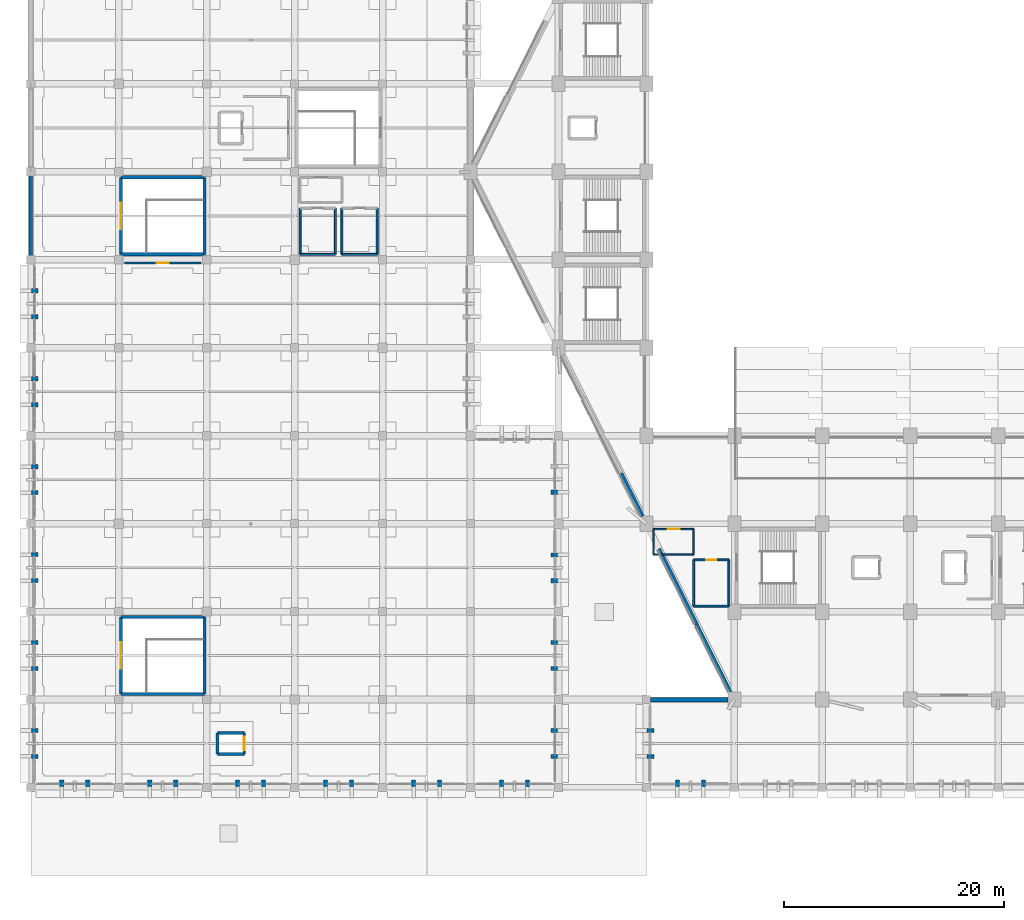
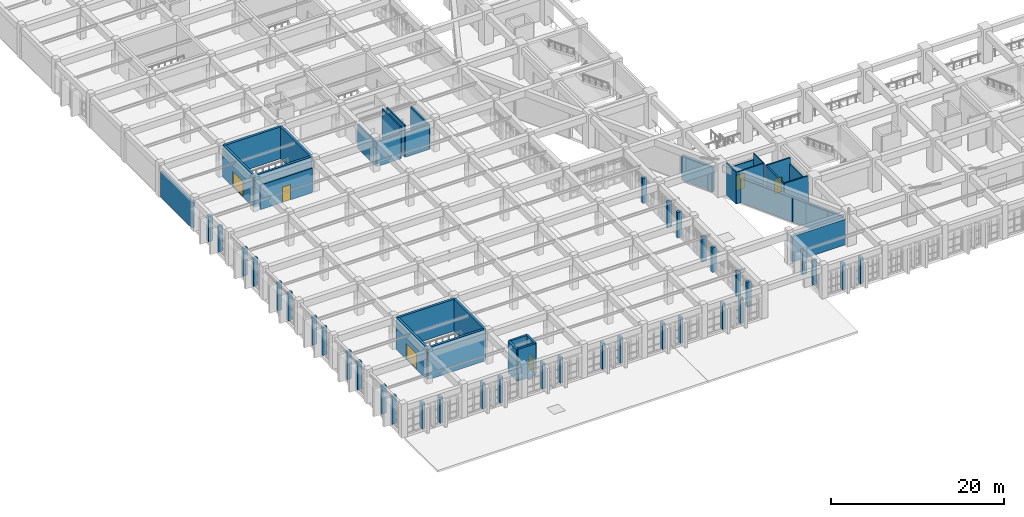
# One storey, part 133 of 155: 67 walls, 6 doors, 6 openings.
"""IFC4 building model written with IfcOpenShell, lengths in metres."""

from ifc_helpers import new_model, si_unit, direction, frame, frame_2d, origin, place, context, subcontext, project, spatial, rectangle, extrude, material, layer, layer_set, type_object, element, fill, save


model = new_model("IFC4")

# Units and contexts
model_context = context("Model", 3, precision=1e-05, world=origin(), true_north=direction((0.0, 1.0)))
body_context = subcontext(model_context, "Body", "Model", "MODEL_VIEW")
ifc_project = project(units=[si_unit("LENGTHUNIT", "METRE"), si_unit("AREAUNIT", "SQUARE_METRE"), si_unit("VOLUMEUNIT", "CUBIC_METRE"), si_unit("PLANEANGLEUNIT", "RADIAN"), si_unit("MASSUNIT", "GRAM", prefix="KILO")], contexts=[model_context])

# Site, building, storey
site_placement = place(None, origin())
site = spatial("IfcSite", under=ifc_project, at=site_placement, CompositionType="ELEMENT")
building_placement = place(site_placement, origin())
building = spatial("IfcBuilding", under=site, at=building_placement, Name="Tazarka Park Arena", CompositionType="ELEMENT")
storey_placement = place(building_placement, frame((0.0, 0.0, 5.39990234375)))
storey = spatial("IfcBuildingStorey", under=building, at=storey_placement, Name="L01", CompositionType="ELEMENT", Elevation=5.39990234375)

# Wall
ifc_material_1 = material(Name="Concrete C40/50", Category="concrete")
ifc_layer_1 = layer(ifc_material_1, 0.300048828125, Name="Concrete C40/50")
ifc_layer_set_1 = layer_set([ifc_layer_1], Name="Concrete C40/50")
wall_type_1 = type_object("IfcWallType", Name="IWAL-CW-S1", PredefinedType="SHEAR", material=ifc_layer_set_1)
wall_1_placement = place(storey_placement, frame((15.800048828125, 56.5, 0.0), z_axis=(0.0, 0.0, 1.0), x_axis=(-1.0, 0.0, 0.0)))
element("IfcWall", 1, at=wall_1_placement, inside=storey, type_object=wall_type_1, Name="SCW-L01-ST01-S", PredefinedType="SHEAR", context=body_context, shape_type="SweptSolid", body=[
    extrude(rectangle(XDim=7.60009765625, YDim=0.300048828125, at=frame_2d((3.800048828125, 0.0))), origin(), (0.0, 0.0, 1.0), 4.47998046875),
])

# Wall, opening, door
wall_2_placement = place(storey_placement, frame((8.199951171875, 56.5, 0.0), z_axis=(0.0, 0.0, 1.0), x_axis=(0.0, 1.0, 0.0)))
wall_2 = element("IfcWall", 2, at=wall_2_placement, inside=storey, type_object=wall_type_1, Name="SCW-L01-ST01-W", PredefinedType="SHEAR", context=body_context, shape_type="SweptSolid", body=[
    extrude(rectangle(XDim=7.0, YDim=0.300048828125, at=frame_2d((3.5, 0.0))), origin(), (0.0, 0.0, 1.0), 4.47998046875),
])
opening_1_placement = place(wall_2_placement, frame((2.300048828125, 0.0, 0.0)))
opening_1 = element("IfcOpeningElement", 3, at=opening_1_placement, cuts=wall_2, Name="Opening ID-05", PredefinedType="OPENING", context=body_context, shape_type="SweptSolid", body=[
    extrude(rectangle(XDim=2.39990234375, YDim=2.199951171875, at=frame_2d((1.199951171875, 1.10009765625))), frame((0.0, 0.16015625, 0.0), z_axis=(0.0, -1.0, 0.0), x_axis=(1.0, 0.0, 0.0)), (0.0, 0.0, 1.0), 0.320068359375),
])
ifc_material_2 = material(Name="Fire-rated powder-coated steel and acoustic timber", Category="steel")
door_type_1 = type_object("IfcDoorType", Name="IDR-ID-05", OperationType="NOTDEFINED", PredefinedType="DOOR", material=ifc_material_2)
door_1_placement = place(opening_1_placement, frame((2.39990234375, 0.0, 0.0), z_axis=(0.0, 0.0, 1.0), x_axis=(-1.0, 0.0, 0.0)))
door_1 = element("IfcDoor", 4, at=door_1_placement, inside=storey, type_object=door_type_1, Name="Exit Stair Door ST01-L01", OperationType="DOUBLE_DOOR_SINGLE_SWING", OverallHeight=2.199951171875, OverallWidth=2.39990234375, PredefinedType="DOOR", context=body_context, shape_type="SweptSolid", body=[
    extrude(rectangle(XDim=2.39990234375, YDim=2.199951171875, at=frame_2d((1.199951171875, 1.10009765625))), frame((0.0, 0.02490234375, 0.0), z_axis=(0.0, -1.0, 0.0), x_axis=(1.0, 0.0, 0.0)), (0.0, 0.0, 1.0), 0.050048828125),
])
fill(opening_1, door_1)

# Walls
wall_3_placement = place(storey_placement, frame((8.199951171875, 63.5, 0.0), z_axis=(0.0, 0.0, 1.0), x_axis=(1.0, 0.0, 0.0)))
element("IfcWall", 5, at=wall_3_placement, inside=storey, type_object=wall_type_1, Name="SCW-L01-ST01-N", PredefinedType="SHEAR", context=body_context, shape_type="SweptSolid", body=[
    extrude(rectangle(XDim=7.60009765625, YDim=0.300048828125, at=frame_2d((3.800048828125, 0.0))), origin(), (0.0, 0.0, 1.0), 4.47998046875),
])
wall_4_placement = place(storey_placement, frame((15.800048828125, 63.5, 0.0), z_axis=(0.0, 0.0, 1.0), x_axis=(0.0, -1.0, 0.0)))
element("IfcWall", 6, at=wall_4_placement, inside=storey, type_object=wall_type_1, Name="SCW-L01-ST01-E", PredefinedType="SHEAR", context=body_context, shape_type="SweptSolid", body=[
    extrude(rectangle(XDim=7.0, YDim=0.300048828125, at=frame_2d((3.5, 0.0))), origin(), (0.0, 0.0, 1.0), 4.47998046875),
])
wall_5_placement = place(storey_placement, frame((15.800048828125, 16.5, 0.0), z_axis=(0.0, 0.0, 1.0), x_axis=(-1.0, 0.0, 0.0)))
element("IfcWall", 7, at=wall_5_placement, inside=storey, type_object=wall_type_1, Name="SCW-L01-ST17-S", PredefinedType="SHEAR", context=body_context, shape_type="SweptSolid", body=[
    extrude(rectangle(XDim=7.60009765625, YDim=0.300048828125, at=frame_2d((3.800048828125, 0.0))), origin(), (0.0, 0.0, 1.0), 4.47998046875),
])

# Wall, opening, door
wall_6_placement = place(storey_placement, frame((8.199951171875, 16.5, 0.0), z_axis=(0.0, 0.0, 1.0), x_axis=(0.0, 1.0, 0.0)))
wall_6 = element("IfcWall", 8, at=wall_6_placement, inside=storey, type_object=wall_type_1, Name="SCW-L01-ST17-W", PredefinedType="SHEAR", context=body_context, shape_type="SweptSolid", body=[
    extrude(rectangle(XDim=7.0, YDim=0.300048828125, at=frame_2d((3.5, 0.0))), origin(), (0.0, 0.0, 1.0), 4.47998046875),
])
opening_2_placement = place(wall_6_placement, frame((2.300048828125, 0.0, 0.0)))
opening_2 = element("IfcOpeningElement", 9, at=opening_2_placement, cuts=wall_6, Name="Opening ID-05", PredefinedType="OPENING", context=body_context, shape_type="SweptSolid", body=[
    extrude(rectangle(XDim=2.39990234375, YDim=2.199951171875, at=frame_2d((1.199951171875, 1.10009765625))), frame((0.0, 0.16015625, 0.0), z_axis=(0.0, -1.0, 0.0), x_axis=(1.0, 0.0, 0.0)), (0.0, 0.0, 1.0), 0.320068359375),
])
door_2_placement = place(opening_2_placement, frame((2.39990234375, 0.0, 0.0), z_axis=(0.0, 0.0, 1.0), x_axis=(-1.0, 0.0, 0.0)))
door_2 = element("IfcDoor", 10, at=door_2_placement, inside=storey, type_object=door_type_1, Name="Exit Stair Door ST17-L01", OperationType="DOUBLE_DOOR_SINGLE_SWING", OverallHeight=2.199951171875, OverallWidth=2.39990234375, PredefinedType="DOOR", context=body_context, shape_type="SweptSolid", body=[
    extrude(rectangle(XDim=2.39990234375, YDim=2.199951171875, at=frame_2d((1.199951171875, 1.10009765625))), frame((0.0, 0.02490234375, 0.0), z_axis=(0.0, -1.0, 0.0), x_axis=(1.0, 0.0, 0.0)), (0.0, 0.0, 1.0), 0.050048828125),
])
fill(opening_2, door_2)

# Walls
wall_7_placement = place(storey_placement, frame((8.199951171875, 23.5, 0.0), z_axis=(0.0, 0.0, 1.0), x_axis=(1.0, 0.0, 0.0)))
element("IfcWall", 11, at=wall_7_placement, inside=storey, type_object=wall_type_1, Name="SCW-L01-ST17-N", PredefinedType="SHEAR", context=body_context, shape_type="SweptSolid", body=[
    extrude(rectangle(XDim=7.60009765625, YDim=0.300048828125, at=frame_2d((3.800048828125, 0.0))), origin(), (0.0, 0.0, 1.0), 4.47998046875),
])
wall_8_placement = place(storey_placement, frame((15.800048828125, 23.5, 0.0), z_axis=(0.0, 0.0, 1.0), x_axis=(0.0, -1.0, 0.0)))
element("IfcWall", 12, at=wall_8_placement, inside=storey, type_object=wall_type_1, Name="SCW-L01-ST17-E", PredefinedType="SHEAR", context=body_context, shape_type="SweptSolid", body=[
    extrude(rectangle(XDim=7.0, YDim=0.300048828125, at=frame_2d((3.5, 0.0))), origin(), (0.0, 0.0, 1.0), 4.47998046875),
])
ifc_material_3 = material(Name="Concrete C40/50", Category="concrete")
ifc_layer_2 = layer(ifc_material_3, 0.260009765625, Name="Concrete C40/50")
ifc_layer_set_2 = layer_set([ifc_layer_2], Name="Concrete C40/50")
wall_type_2 = type_object("IfcWallType", Name="IWAL-CW-S3", PredefinedType="SHEAR", material=ifc_layer_set_2)
wall_9_placement = place(storey_placement, frame((16.97998046875, 11.030029296875, 0.0), z_axis=(0.0, 0.0, 1.0), x_axis=(0.0, 1.0, 0.0)))
element("IfcWall", 13, at=wall_9_placement, inside=storey, type_object=wall_type_2, Name="LSW-L01-LF-05-W", PredefinedType="SHEAR", context=body_context, shape_type="SweptSolid", body=[
    extrude(rectangle(XDim=1.93994140625, YDim=0.260009765625, at=frame_2d((0.969970703125, 0.0))), origin(), (0.0, 0.0, 1.0), 4.47998046875),
])
for number, where, z_axis, x_axis, name in (
    (14, (16.97998046875, 12.969970703125, 0.0), (0.0, 0.0, 1.0), (1.0, 0.0, 0.0), "LSW-L01-LF-05-N"),
    (15, (19.419921875, 11.030029296875, 0.0), (0.0, 0.0, 1.0), (-1.0, 0.0, 0.0), "LSW-L01-LF-05-S"),
):
    element("IfcWall", number, at=place(storey_placement, frame(where, z_axis=z_axis, x_axis=x_axis)), inside=storey, type_object=wall_type_2, Name=name, PredefinedType="SHEAR", context=body_context, shape_type="SweptSolid", body=[
        extrude(rectangle(XDim=2.43994140625, YDim=0.260009765625, at=frame_2d((1.219970703125, 0.0))), origin(), (0.0, 0.0, 1.0), 4.47998046875),
    ])

# Wall, opening, door
wall_10_placement = place(storey_placement, frame((19.419921875, 12.969970703125, 0.0), z_axis=(0.0, 0.0, 1.0), x_axis=(0.0, -1.0, 0.0)))
wall_10 = element("IfcWall", 16, at=wall_10_placement, inside=storey, type_object=wall_type_2, Name="LSW-L01-LF-05-E", PredefinedType="SHEAR", context=body_context, shape_type="SweptSolid", body=[
    extrude(rectangle(XDim=1.93994140625, YDim=0.260009765625, at=frame_2d((0.969970703125, 0.0))), origin(), (0.0, 0.0, 1.0), 4.47998046875),
])
opening_3_placement = place(wall_10_placement, frame((0.3701171875, 0.0, 0.0)))
opening_3 = element("IfcOpeningElement", 17, at=opening_3_placement, cuts=wall_10, Name="Opening LD-02", PredefinedType="OPENING", context=body_context, shape_type="SweptSolid", body=[
    extrude(rectangle(XDim=1.199951171875, YDim=2.14990234375, at=frame_2d((0.60009765625, 1.074951171875))), frame((0.0, 0.14013671875, 0.0), z_axis=(0.0, -1.0, 0.0), x_axis=(1.0, 0.0, 0.0)), (0.0, 0.0, 1.0), 0.280029296875),
])
ifc_material_4 = material(Name="Fire-rated powder-coated steel and acoustic timber", Category="steel")
door_type_2 = type_object("IfcDoorType", Name="IDR-LD-02", OperationType="NOTDEFINED", PredefinedType="DOOR", material=ifc_material_4)
door_3_placement = place(opening_3_placement, origin())
door_3 = element("IfcDoor", 18, at=door_3_placement, inside=storey, type_object=door_type_2, Name="Lift Landing Door LF-05-L01", OperationType="SLIDING_TO_LEFT", OverallHeight=2.14990234375, OverallWidth=1.199951171875, PredefinedType="DOOR", context=body_context, shape_type="SweptSolid", body=[
    extrude(rectangle(XDim=1.199951171875, YDim=2.14990234375, at=frame_2d((0.60009765625, 1.074951171875))), frame((0.0, 0.02490234375, 0.0), z_axis=(0.0, -1.0, 0.0), x_axis=(1.0, 0.0, 0.0)), (0.0, 0.0, 1.0), 0.050048828125),
])
fill(opening_3, door_3)

# Walls
ifc_material_5 = material(Name="Acoustic gypsum stud partition")
ifc_layer_3 = layer(ifc_material_5, 0.135009765625, Name="Acoustic gypsum stud partition")
ifc_layer_set_3 = layer_set([ifc_layer_3], Name="Acoustic gypsum stud partition")
wall_type_3 = type_object("IfcWallType", Name="IWAL-PT-10", PredefinedType="PARTITIONING", material=ifc_layer_set_3)
wall_11_placement = place(storey_placement, frame((56.641357421875, 29.199951171875, 0.0), z_axis=(0.0, 0.0, 1.0), x_axis=(1.0, 0.0, 0.0)))
element("IfcWall", 19, at=wall_11_placement, inside=storey, type_object=wall_type_3, Name="WCE-L01-076", PredefinedType="PARTITIONING", context=body_context, shape_type="SweptSolid", body=[
    extrude(rectangle(XDim=3.65869140625, YDim=0.135009765625, at=frame_2d((1.829345703125, 0.0))), origin(), (0.0, 0.0, 1.0), 4.47998046875),
])
wall_12_placement = place(storey_placement, frame((60.300048828125, 29.199951171875, 0.0), z_axis=(0.0, 0.0, 1.0), x_axis=(0.0, 1.0, 0.0)))
element("IfcWall", 20, at=wall_12_placement, inside=storey, type_object=wall_type_3, Name="WCE-L01-077", PredefinedType="PARTITIONING", context=body_context, shape_type="SweptSolid", body=[
    extrude(rectangle(XDim=2.300048828125, YDim=0.135009765625, at=frame_2d((1.14990234375, 0.0))), origin(), (0.0, 0.0, 1.0), 4.47998046875),
])

# Wall, opening, door
wall_13_placement = place(storey_placement, frame((60.300048828125, 31.5, 0.0), z_axis=(0.0, 0.0, 1.0), x_axis=(-1.0, 0.0, 0.0)))
wall_13 = element("IfcWall", 21, at=wall_13_placement, inside=storey, type_object=wall_type_3, Name="WCE-L01-078", PredefinedType="PARTITIONING", context=body_context, shape_type="SweptSolid", body=[
    extrude(rectangle(XDim=3.65869140625, YDim=0.135009765625, at=frame_2d((1.829345703125, 0.0))), origin(), (0.0, 0.0, 1.0), 3.60009765625),
])
opening_4_placement = place(wall_13_placement, frame((1.279296875, 0.0, 0.0)))
opening_4 = element("IfcOpeningElement", 22, at=opening_4_placement, cuts=wall_13, Name="Opening ID-02", PredefinedType="OPENING", context=body_context, shape_type="SweptSolid", body=[
    extrude(rectangle(XDim=1.10009765625, YDim=2.14990234375, at=frame_2d((0.550048828125, 1.074951171875))), frame((0.0, 0.07763671875, 0.0), z_axis=(0.0, -1.0, 0.0), x_axis=(1.0, 0.0, 0.0)), (0.0, 0.0, 1.0), 0.155029296875),
])
ifc_material_6 = material(Name="Fire-rated powder-coated steel and acoustic timber", Category="steel")
door_type_3 = type_object("IfcDoorType", Name="IDR-ID-02", OperationType="NOTDEFINED", PredefinedType="DOOR", material=ifc_material_6)
door_4_placement = place(opening_4_placement, origin())
door_4 = element("IfcDoor", 23, at=door_4_placement, inside=storey, type_object=door_type_3, Name="Room Door Accessible WC South 2", OperationType="SINGLE_SWING_RIGHT", OverallHeight=2.14990234375, OverallWidth=1.10009765625, PredefinedType="DOOR", context=body_context, shape_type="SweptSolid", body=[
    extrude(rectangle(XDim=1.10009765625, YDim=2.14990234375, at=frame_2d((0.550048828125, 1.074951171875))), frame((0.0, 0.02490234375, 0.0), z_axis=(0.0, -1.0, 0.0), x_axis=(1.0, 0.0, 0.0)), (0.0, 0.0, 1.0), 0.050048828125),
])
fill(opening_4, door_4)

# Wall
wall_14_placement = place(storey_placement, frame((56.641357421875, 31.5, 0.0), z_axis=(0.0, 0.0, 1.0), x_axis=(0.0, -1.0, 0.0)))
element("IfcWall", 24, at=wall_14_placement, inside=storey, type_object=wall_type_3, Name="WCE-L01-079", PredefinedType="PARTITIONING", context=body_context, shape_type="SweptSolid", body=[
    extrude(rectangle(XDim=2.300048828125, YDim=0.135009765625, at=frame_2d((1.14990234375, 0.0))), origin(), (0.0, 0.0, 1.0), 4.47998046875),
])

# Wall, opening, door
ifc_material_7 = material(Name="Double-board acoustic partition")
ifc_layer_4 = layer(ifc_material_7, 0.1650390625, Name="Double-board acoustic partition")
ifc_layer_set_4 = layer_set([ifc_layer_4], Name="Double-board acoustic partition")
wall_type_4 = type_object("IfcWallType", Name="IWAL-PT-17", PredefinedType="PARTITIONING", material=ifc_layer_set_4)
wall_15_placement = place(storey_placement, frame((8.542236328125, 55.699951171875, 0.0), z_axis=(0.0, 0.0, 1.0), x_axis=(1.0, 0.0, 0.0)))
wall_15 = element("IfcWall", 25, at=wall_15_placement, inside=storey, type_object=wall_type_4, Name="PRT-L01-015", PredefinedType="PARTITIONING", context=body_context, shape_type="SweptSolid", body=[
    extrude(rectangle(XDim=6.91552734375, YDim=0.1650390625, at=frame_2d((3.457763671875, 0.0))), origin(), (0.0, 0.0, 1.0), 3.4501953125),
])
opening_5_placement = place(wall_15_placement, frame((2.90771484375, 0.0, 0.0)))
opening_5 = element("IfcOpeningElement", 26, at=opening_5_placement, cuts=wall_15, Name="Opening ID-02", PredefinedType="OPENING", context=body_context, shape_type="SweptSolid", body=[
    extrude(rectangle(XDim=1.10009765625, YDim=2.14990234375, at=frame_2d((0.550048828125, 1.074951171875))), frame((0.0, 0.092529296875, 0.0), z_axis=(0.0, -1.0, 0.0), x_axis=(1.0, 0.0, 0.0)), (0.0, 0.0, 1.0), 0.18505859375),
])
door_5_placement = place(opening_5_placement, origin())
door_5 = element("IfcDoor", 27, at=door_5_placement, inside=storey, type_object=door_type_3, Name="Room Door Entrance Foyer Mezzanine Lounge", OperationType="SINGLE_SWING_RIGHT", OverallHeight=2.14990234375, OverallWidth=1.10009765625, PredefinedType="DOOR", context=body_context, shape_type="SweptSolid", body=[
    extrude(rectangle(XDim=1.10009765625, YDim=2.14990234375, at=frame_2d((0.550048828125, 1.074951171875))), frame((0.0, 0.02490234375, 0.0), z_axis=(0.0, -1.0, 0.0), x_axis=(1.0, 0.0, 0.0)), (0.0, 0.0, 1.0), 0.050048828125),
])
fill(opening_5, door_5)

# Walls
ifc_material_8 = material(Name="Wet-zone tiled blockwork wall", Category="masonry")
ifc_layer_5 = layer(ifc_material_8, 0.175048828125, Name="Wet-zone tiled blockwork wall")
ifc_layer_set_5 = layer_set([ifc_layer_5], Name="Wet-zone tiled blockwork wall")
wall_type_5 = type_object("IfcWallType", Name="IWAL-PT-18", PredefinedType="PARTITIONING", material=ifc_layer_set_5)
wall_16_placement = place(storey_placement, frame((24.5, 56.5, 0.0), z_axis=(0.0, 0.0, 1.0), x_axis=(1.0, 0.0, 0.0)))
element("IfcWall", 28, at=wall_16_placement, inside=storey, type_object=wall_type_5, Name="WCE-L01-060", PredefinedType="PARTITIONING", context=body_context, shape_type="SweptSolid", body=[
    extrude(rectangle(XDim=3.199951171875, YDim=0.175048828125, at=frame_2d((1.60009765625, 0.0))), origin(), (0.0, 0.0, 1.0), 3.4501953125),
])
wall_17_placement = place(storey_placement, frame((27.699951171875, 56.5, 0.0), z_axis=(0.0, 0.0, 1.0), x_axis=(0.0, 1.0, 0.0)))
element("IfcWall", 29, at=wall_17_placement, inside=storey, type_object=wall_type_5, Name="WCE-L01-061", PredefinedType="PARTITIONING", context=body_context, shape_type="SweptSolid", body=[
    extrude(rectangle(XDim=4.199951171875, YDim=0.175048828125, at=frame_2d((2.10009765625, 0.0))), origin(), (0.0, 0.0, 1.0), 4.47998046875),
])
wall_18_placement = place(storey_placement, frame((24.5, 60.699951171875, 0.0), z_axis=(0.0, 0.0, 1.0), x_axis=(0.0, -1.0, 0.0)))
element("IfcWall", 30, at=wall_18_placement, inside=storey, type_object=wall_type_5, Name="WCE-L01-063", PredefinedType="PARTITIONING", context=body_context, shape_type="SweptSolid", body=[
    extrude(rectangle(XDim=4.199951171875, YDim=0.175048828125, at=frame_2d((2.10009765625, 0.0))), origin(), (0.0, 0.0, 1.0), 3.4501953125),
])
wall_19_placement = place(storey_placement, frame((28.300048828125, 56.5, 0.0), z_axis=(0.0, 0.0, 1.0), x_axis=(1.0, 0.0, 0.0)))
element("IfcWall", 31, at=wall_19_placement, inside=storey, type_object=wall_type_5, Name="WCE-L01-064", PredefinedType="PARTITIONING", context=body_context, shape_type="SweptSolid", body=[
    extrude(rectangle(XDim=3.199951171875, YDim=0.175048828125, at=frame_2d((1.60009765625, 0.0))), origin(), (0.0, 0.0, 1.0), 3.4501953125),
])
wall_20_placement = place(storey_placement, frame((31.5, 56.5, 0.0), z_axis=(0.0, 0.0, 1.0), x_axis=(0.0, 1.0, 0.0)))
element("IfcWall", 32, at=wall_20_placement, inside=storey, type_object=wall_type_5, Name="WCE-L01-065", PredefinedType="PARTITIONING", context=body_context, shape_type="SweptSolid", body=[
    extrude(rectangle(XDim=4.199951171875, YDim=0.175048828125, at=frame_2d((2.10009765625, 0.0))), origin(), (0.0, 0.0, 1.0), 3.4501953125),
])
wall_21_placement = place(storey_placement, frame((28.300048828125, 60.699951171875, 0.0), z_axis=(0.0, 0.0, 1.0), x_axis=(0.0, -1.0, 0.0)))
element("IfcWall", 33, at=wall_21_placement, inside=storey, type_object=wall_type_5, Name="WCE-L01-067", PredefinedType="PARTITIONING", context=body_context, shape_type="SweptSolid", body=[
    extrude(rectangle(XDim=4.199951171875, YDim=0.175048828125, at=frame_2d((2.10009765625, 0.0))), origin(), (0.0, 0.0, 1.0), 4.47998046875),
])
wall_22_placement = place(storey_placement, frame((60.300048828125, 24.5, 0.0), z_axis=(0.0, 0.0, 1.0), x_axis=(1.0, 0.0, 0.0)))
element("IfcWall", 34, at=wall_22_placement, inside=storey, type_object=wall_type_5, Name="WCE-L01-072", PredefinedType="PARTITIONING", context=body_context, shape_type="SweptSolid", body=[
    extrude(rectangle(XDim=3.199951171875, YDim=0.175048828125, at=frame_2d((1.60009765625, 0.0))), origin(), (0.0, 0.0, 1.0), 4.47998046875),
])
wall_23_placement = place(storey_placement, frame((63.5, 24.5, 0.0), z_axis=(0.0, 0.0, 1.0), x_axis=(0.0, 1.0, 0.0)))
element("IfcWall", 35, at=wall_23_placement, inside=storey, type_object=wall_type_5, Name="WCE-L01-073", PredefinedType="PARTITIONING", context=body_context, shape_type="SweptSolid", body=[
    extrude(rectangle(XDim=4.199951171875, YDim=0.175048828125, at=frame_2d((2.10009765625, 0.0))), origin(), (0.0, 0.0, 1.0), 3.60009765625),
])

# Wall, opening, door
wall_24_placement = place(storey_placement, frame((63.5, 28.699951171875, 0.0), z_axis=(0.0, 0.0, 1.0), x_axis=(-1.0, 0.0, 0.0)))
wall_24 = element("IfcWall", 36, at=wall_24_placement, inside=storey, type_object=wall_type_5, Name="WCE-L01-074", PredefinedType="PARTITIONING", context=body_context, shape_type="SweptSolid", body=[
    extrude(rectangle(XDim=3.199951171875, YDim=0.175048828125, at=frame_2d((1.60009765625, 0.0))), origin(), (0.0, 0.0, 1.0), 4.47998046875),
])
opening_6_placement = place(wall_24_placement, frame((1.125, 0.0, 0.0)))
opening_6 = element("IfcOpeningElement", 37, at=opening_6_placement, cuts=wall_24, Name="Opening ID-09", PredefinedType="OPENING", context=body_context, shape_type="SweptSolid", body=[
    extrude(rectangle(XDim=0.949951171875, YDim=2.14990234375, at=frame_2d((0.47509765625, 1.074951171875))), frame((0.0, 0.09765625, 0.0), z_axis=(0.0, -1.0, 0.0), x_axis=(1.0, 0.0, 0.0)), (0.0, 0.0, 1.0), 0.195068359375),
])
ifc_material_9 = material(Name="Fire-rated powder-coated steel and acoustic timber", Category="steel")
door_type_4 = type_object("IfcDoorType", Name="IDR-ID-09", OperationType="NOTDEFINED", PredefinedType="DOOR", material=ifc_material_9)
door_6_placement = place(opening_6_placement, origin())
door_6 = element("IfcDoor", 38, at=door_6_placement, inside=storey, type_object=door_type_4, Name="Room Door Public Female WC South 2", OperationType="SINGLE_SWING_LEFT", OverallHeight=2.14990234375, OverallWidth=0.949951171875, PredefinedType="DOOR", context=body_context, shape_type="SweptSolid", body=[
    extrude(rectangle(XDim=0.949951171875, YDim=2.14990234375, at=frame_2d((0.47509765625, 1.074951171875))), frame((0.0, 0.02490234375, 0.0), z_axis=(0.0, -1.0, 0.0), x_axis=(1.0, 0.0, 0.0)), (0.0, 0.0, 1.0), 0.050048828125),
])
fill(opening_6, door_6)

# Walls
wall_25_placement = place(storey_placement, frame((60.300048828125, 28.699951171875, 0.0), z_axis=(0.0, 0.0, 1.0), x_axis=(0.0, -1.0, 0.0)))
element("IfcWall", 39, at=wall_25_placement, inside=storey, type_object=wall_type_5, Name="WCE-L01-075", PredefinedType="PARTITIONING", context=body_context, shape_type="SweptSolid", body=[
    extrude(rectangle(XDim=4.199951171875, YDim=0.175048828125, at=frame_2d((2.10009765625, 0.0))), origin(), (0.0, 0.0, 1.0), 4.47998046875),
])
ifc_material_10 = material(Name="Concrete C50/60", Category="concrete")
ifc_layer_6 = layer(ifc_material_10, 0.3798828125, Name="Concrete C50/60")
ifc_layer_set_6 = layer_set([ifc_layer_6], Name="Concrete C50/60")
wall_type_6 = type_object("IfcWallType", Name="WAL-EW-05", PredefinedType="SOLIDWALL", material=ifc_layer_set_6)
for number, where, z_axis, x_axis, name in (
    (40, (56.669921875, 10.818359375, 0.0), (0.0, 0.0, 1.0), (-1.0, 0.0, 0.0), "BFP-L01-001-1"),
    (41, (56.669921875, 13.181640625, 0.0), (0.0, 0.0, 1.0), (-1.0, 0.0, 0.0), "BFP-L01-001-2"),
):
    element("IfcWall", number, at=place(storey_placement, frame(where, z_axis=z_axis, x_axis=x_axis)), inside=storey, type_object=wall_type_6, Name=name, PredefinedType="SOLIDWALL", context=body_context, shape_type="SweptSolid", body=[
        extrude(rectangle(XDim=0.599853515625, YDim=0.3798828125, at=frame_2d((0.2998046875, 0.0))), origin(), (0.0, 0.0, 1.0), 3.4501953125),
    ])
for number, where, z_axis, x_axis, name in (
    (42, (61.181640625, 8.669921875, 0.0), (0.0, 0.0, 1.0), (0.0, -1.0, 0.0), "BFP-L01-004-1"),
    (43, (58.818359375, 8.669921875, 0.0), (0.0, 0.0, 1.0), (0.0, -1.0, 0.0), "BFP-L01-004-2"),
):
    element("IfcWall", number, at=place(storey_placement, frame(where, z_axis=z_axis, x_axis=x_axis)), inside=storey, type_object=wall_type_6, Name=name, PredefinedType="SOLIDWALL", context=body_context, shape_type="SweptSolid", body=[
        extrude(rectangle(XDim=0.599853515625, YDim=0.3798828125, at=frame_2d((0.2998046875, 0.0))), origin(), (0.0, 0.0, 1.0), 3.60009765625),
    ])
for number, where, z_axis, x_axis, name in (
    (44, (0.669921875, 26.818359375, 0.0), (0.0, 0.0, 1.0), (-1.0, 0.0, 0.0), "BFP-L01-061-1"),
    (45, (0.669921875, 29.181640625, 0.0), (0.0, 0.0, 1.0), (-1.0, 0.0, 0.0), "BFP-L01-061-2"),
    (46, (0.669921875, 18.818359375, 0.0), (0.0, 0.0, 1.0), (-1.0, 0.0, 0.0), "BFP-L01-064-1"),
    (47, (0.669921875, 21.181640625, 0.0), (0.0, 0.0, 1.0), (-1.0, 0.0, 0.0), "BFP-L01-064-2"),
    (48, (0.669921875, 10.818359375, 0.0), (0.0, 0.0, 1.0), (-1.0, 0.0, 0.0), "BFP-L01-067-1"),
    (49, (0.669921875, 13.181640625, 0.0), (0.0, 0.0, 1.0), (-1.0, 0.0, 0.0), "BFP-L01-067-2"),
):
    element("IfcWall", number, at=place(storey_placement, frame(where, z_axis=z_axis, x_axis=x_axis)), inside=storey, type_object=wall_type_6, Name=name, PredefinedType="SOLIDWALL", context=body_context, shape_type="SweptSolid", body=[
        extrude(rectangle(XDim=0.599853515625, YDim=0.3798828125, at=frame_2d((0.2998046875, 0.0))), origin(), (0.0, 0.0, 1.0), 3.91015625),
    ])
for number, where, z_axis, x_axis, name in (
    (50, (5.181640625, 8.669921875, 0.0), (0.0, 0.0, 1.0), (0.0, -1.0, 0.0), "BFP-L01-070-1"),
    (51, (2.818359375, 8.669921875, 0.0), (0.0, 0.0, 1.0), (0.0, -1.0, 0.0), "BFP-L01-070-2"),
    (52, (13.181640625, 8.669921875, 0.0), (0.0, 0.0, 1.0), (0.0, -1.0, 0.0), "BFP-L01-073-1"),
    (53, (10.818359375, 8.669921875, 0.0), (0.0, 0.0, 1.0), (0.0, -1.0, 0.0), "BFP-L01-073-2"),
    (54, (21.181640625, 8.669921875, 0.0), (0.0, 0.0, 1.0), (0.0, -1.0, 0.0), "BFP-L01-076-1"),
    (55, (18.818359375, 8.669921875, 0.0), (0.0, 0.0, 1.0), (0.0, -1.0, 0.0), "BFP-L01-076-2"),
    (56, (29.181640625, 8.669921875, 0.0), (0.0, 0.0, 1.0), (0.0, -1.0, 0.0), "BFP-L01-079-1"),
    (57, (26.818359375, 8.669921875, 0.0), (0.0, 0.0, 1.0), (0.0, -1.0, 0.0), "BFP-L01-079-2"),
    (58, (37.181640625, 8.669921875, 0.0), (0.0, 0.0, 1.0), (0.0, -1.0, 0.0), "BFP-L01-082-1"),
    (59, (34.818359375, 8.669921875, 0.0), (0.0, 0.0, 1.0), (0.0, -1.0, 0.0), "BFP-L01-082-2"),
    (60, (45.181640625, 8.669921875, 0.0), (0.0, 0.0, 1.0), (0.0, -1.0, 0.0), "BFP-L01-085-1"),
    (61, (42.818359375, 8.669921875, 0.0), (0.0, 0.0, 1.0), (0.0, -1.0, 0.0), "BFP-L01-085-2"),
):
    element("IfcWall", number, at=place(storey_placement, frame(where, z_axis=z_axis, x_axis=x_axis)), inside=storey, type_object=wall_type_6, Name=name, PredefinedType="SOLIDWALL", context=body_context, shape_type="SweptSolid", body=[
        extrude(rectangle(XDim=0.599853515625, YDim=0.3798828125, at=frame_2d((0.2998046875, 0.0))), origin(), (0.0, 0.0, 1.0), 3.60009765625),
    ])
for number, where, z_axis, x_axis, name in (
    (62, (47.330078125, 13.181640625, 0.0), (0.0, 0.0, 1.0), (1.0, 0.0, 0.0), "BFP-L01-088-1"),
    (63, (47.330078125, 10.818359375, 0.0), (0.0, 0.0, 1.0), (1.0, 0.0, 0.0), "BFP-L01-088-2"),
    (64, (47.330078125, 21.181640625, 0.0), (0.0, 0.0, 1.0), (1.0, 0.0, 0.0), "BFP-L01-091-1"),
    (65, (47.330078125, 18.818359375, 0.0), (0.0, 0.0, 1.0), (1.0, 0.0, 0.0), "BFP-L01-091-2"),
):
    element("IfcWall", number, at=place(storey_placement, frame(where, z_axis=z_axis, x_axis=x_axis)), inside=storey, type_object=wall_type_6, Name=name, PredefinedType="SOLIDWALL", context=body_context, shape_type="SweptSolid", body=[
        extrude(rectangle(XDim=0.599853515625, YDim=0.3798828125, at=frame_2d((0.2998046875, 0.0))), origin(), (0.0, 0.0, 1.0), 3.4501953125),
    ])
for number, where, z_axis, x_axis, name in (
    (66, (47.330078125, 29.148193359375, 0.0), (0.0, 0.0, 1.0), (1.0, 0.0, 0.0), "BFP-L01-094-1"),
    (67, (47.330078125, 26.8017578125, 0.0), (0.0, 0.0, 1.0), (1.0, 0.0, 0.0), "BFP-L01-094-2"),
):
    element("IfcWall", number, at=place(storey_placement, frame(where, z_axis=z_axis, x_axis=x_axis)), inside=storey, type_object=wall_type_6, Name=name, PredefinedType="SOLIDWALL", context=body_context, shape_type="SweptSolid", body=[
        extrude(rectangle(XDim=0.599853515625, YDim=0.3798828125, at=frame_2d((0.2998046875, 0.0))), origin(), (0.0, 0.0, 1.0), 3.60009765625),
    ])
wall_26_placement = place(storey_placement, frame((47.330078125, 34.851806640625, 0.0), z_axis=(0.0, 0.0, 1.0), x_axis=(1.0, 0.0, 0.0)))
element("IfcWall", 68, at=wall_26_placement, inside=storey, type_object=wall_type_6, Name="BFP-L01-097-2", PredefinedType="SOLIDWALL", context=body_context, shape_type="SweptSolid", body=[
    extrude(rectangle(XDim=0.599853515625, YDim=0.3798828125, at=frame_2d((0.2998046875, 0.0))), origin(), (0.0, 0.0, 1.0), 3.4501953125),
])
for number, where, z_axis, x_axis, name in (
    (69, (0.669921875, 50.818359375, 0.0), (0.0, 0.0, 1.0), (-1.0, 0.0, 0.0), "BFP-L01-139-1"),
    (70, (0.669921875, 53.181640625, 0.0), (0.0, 0.0, 1.0), (-1.0, 0.0, 0.0), "BFP-L01-139-2"),
):
    element("IfcWall", number, at=place(storey_placement, frame(where, z_axis=z_axis, x_axis=x_axis)), inside=storey, type_object=wall_type_6, Name=name, PredefinedType="SOLIDWALL", context=body_context, shape_type="SweptSolid", body=[
        extrude(rectangle(XDim=0.599853515625, YDim=0.3798828125, at=frame_2d((0.2998046875, 0.0))), origin(), (0.0, 0.0, 1.0), 3.60009765625),
    ])
for number, where, z_axis, x_axis, name in (
    (71, (0.669921875, 42.818359375, 0.0), (0.0, 0.0, 1.0), (-1.0, 0.0, 0.0), "BFP-L01-142-1"),
    (72, (0.669921875, 45.181640625, 0.0), (0.0, 0.0, 1.0), (-1.0, 0.0, 0.0), "BFP-L01-142-2"),
    (73, (0.669921875, 34.818359375, 0.0), (0.0, 0.0, 1.0), (-1.0, 0.0, 0.0), "BFP-L01-145-1"),
    (74, (0.669921875, 37.181640625, 0.0), (0.0, 0.0, 1.0), (-1.0, 0.0, 0.0), "BFP-L01-145-2"),
):
    element("IfcWall", number, at=place(storey_placement, frame(where, z_axis=z_axis, x_axis=x_axis)), inside=storey, type_object=wall_type_6, Name=name, PredefinedType="SOLIDWALL", context=body_context, shape_type="SweptSolid", body=[
        extrude(rectangle(XDim=0.599853515625, YDim=0.3798828125, at=frame_2d((0.2998046875, 0.0))), origin(), (0.0, 0.0, 1.0), 3.91015625),
    ])
ifc_material_11 = material(Name="Precast concrete C40/50", Category="concrete")
ifc_layer_7 = layer(ifc_material_11, 0.2900390625, Name="Precast concrete C40/50")
ifc_layer_set_7 = layer_set([ifc_layer_7], Name="Precast concrete C40/50")
wall_type_7 = type_object("IfcWallType", Name="WAL-EW-07", PredefinedType="SOLIDWALL", material=ifc_layer_set_7)
wall_27_placement = place(storey_placement, frame((63.659912109375, 16.679931640625, 0.0), z_axis=(0.0, 0.0, 1.0), x_axis=(-0.4472135955, 0.894427191, 0.0)))
element("IfcWall", 75, at=wall_27_placement, inside=storey, type_object=wall_type_7, Name="EW-L01-0182", PredefinedType="SOLIDWALL", context=body_context, shape_type="SweptSolid", body=[
    extrude(rectangle(XDim=6.90625, YDim=0.2900390625, at=frame_2d((3.453125, 0.0))), origin(), (0.0, 0.0, 1.0), 3.4501953125),
])
wall_28_placement = place(storey_placement, frame((0.0, 56.35498046875, 0.0), z_axis=(0.0, 0.0, 1.0), x_axis=(0.0, 1.0, 0.0)))
element("IfcWall", 76, at=wall_28_placement, inside=storey, type_object=wall_type_7, Name="EW-L01-0198", PredefinedType="SOLIDWALL", context=body_context, shape_type="SweptSolid", body=[
    extrude(rectangle(XDim=7.2900390625, YDim=0.2900390625, at=frame_2d((3.64501953125, 0.0))), origin(), (0.0, 0.0, 1.0), 3.60009765625),
])
ifc_material_12 = material(Name="Precast concrete C40/50", Category="concrete")
ifc_layer_8 = layer(ifc_material_12, 0.31005859375, Name="Precast concrete C40/50")
ifc_layer_set_8 = layer_set([ifc_layer_8], Name="Precast concrete C40/50")
wall_type_8 = type_object("IfcWallType", Name="WAL-EW-08", PredefinedType="SOLIDWALL", material=ifc_layer_set_8)
wall_29_placement = place(storey_placement, frame((60.5712890625, 22.857177734375, 0.0), z_axis=(0.0, 0.0, 1.0), x_axis=(-0.447200857411, 0.894433559931, 0.0)))
element("IfcWall", 77, at=wall_29_placement, inside=storey, type_object=wall_type_8, Name="EW-L01-0183", PredefinedType="SOLIDWALL", context=body_context, shape_type="SweptSolid", body=[
    extrude(rectangle(XDim=7.66650390625, YDim=0.31005859375, at=frame_2d((3.833251953125, 0.0))), origin(), (0.0, 0.0, 1.0), 3.4501953125),
])
ifc_material_13 = material(Name="Concrete C40/50", Category="concrete")
ifc_layer_9 = layer(ifc_material_13, 0.330078125, Name="Concrete C40/50")
ifc_layer_set_9 = layer_set([ifc_layer_9], Name="Concrete C40/50")
wall_type_9 = type_object("IfcWallType", Name="WAL-EW-09", PredefinedType="SOLIDWALL", material=ifc_layer_set_9)
wall_30_placement = place(storey_placement, frame((55.659912109375, 32.679931640625, 0.0), z_axis=(0.0, 0.0, 1.0), x_axis=(-0.447191148821, 0.894438413987, 0.0)))
element("IfcWall", 78, at=wall_30_placement, inside=storey, type_object=wall_type_9, Name="EW-L01-0184", PredefinedType="SOLIDWALL", context=body_context, shape_type="SweptSolid", body=[
    extrude(rectangle(XDim=4.3505859375, YDim=0.330078125, at=frame_2d((2.17529296875, 0.0))), origin(), (0.0, 0.0, 1.0), 3.4501953125),
])
ifc_material_14 = material(Name="Concrete C50/60", Category="concrete")
ifc_layer_10 = layer(ifc_material_14, 0.409912109375, Name="Concrete C50/60")
ifc_layer_set_10 = layer_set([ifc_layer_10], Name="Concrete C50/60")
wall_type_10 = type_object("IfcWallType", Name="WAL-EW-14", PredefinedType="SOLIDWALL", material=ifc_layer_set_10)
wall_31_placement = place(storey_placement, frame((56.35498046875, 16.0, 0.0), z_axis=(0.0, 0.0, 1.0), x_axis=(1.0, 0.0, 0.0)))
element("IfcWall", 79, at=wall_31_placement, inside=storey, type_object=wall_type_10, Name="EW-L01-0189", PredefinedType="SOLIDWALL", context=body_context, shape_type="SweptSolid", body=[
    extrude(rectangle(XDim=7.06494140625, YDim=0.409912109375, at=frame_2d((3.532470703125, 0.0))), origin(), (0.0, 0.0, 1.0), 3.60009765625),
])

save(model, "model.ifc")
